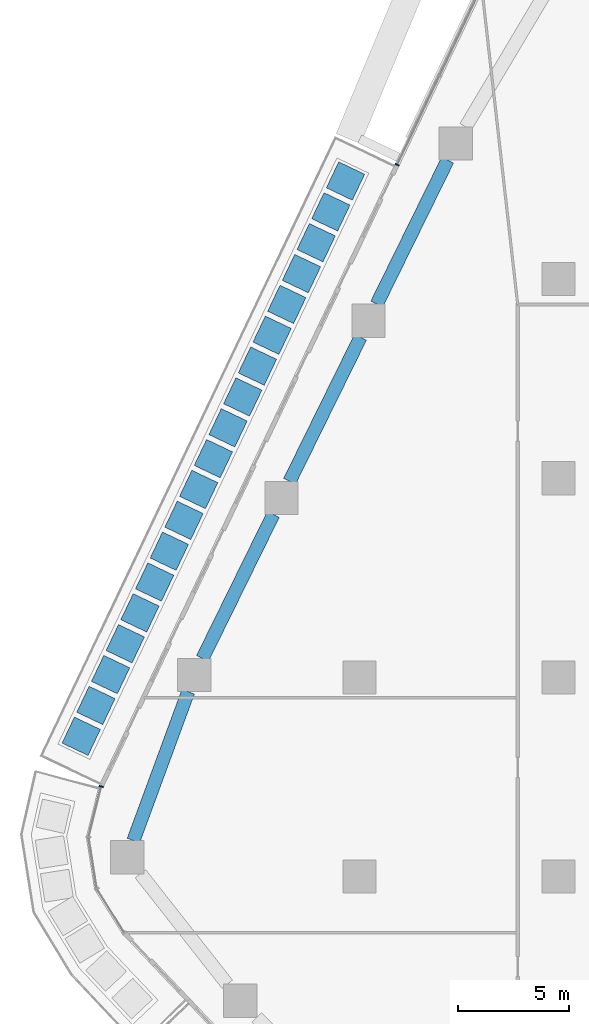
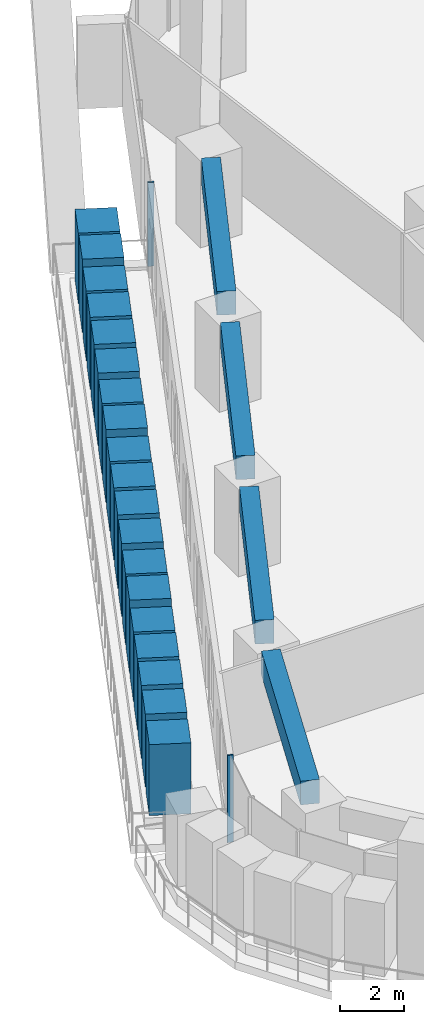
# One storey, part 5 of 24: 21 members, 4 beams, 2 elements without a shape of their own.
"""IFC4 building model written with IfcOpenShell, lengths in metres."""

from ifc_helpers import new_model, si_unit, direction, frame, origin, origin_2d, place, context, subcontext, project, spatial, rectangle, extrude, material, layer, layer_set, material_profile, profile_set, type_object, element, aggregate, save


model = new_model("IFC4")

# Units and contexts
model_context = context("Model", 3, precision=1e-05, world=origin(), true_north=direction((0.0, 1.0)))
body_context = subcontext(model_context, "Body", "Model", "MODEL_VIEW")
ifc_project = project(units=[si_unit("LENGTHUNIT", "METRE"), si_unit("AREAUNIT", "SQUARE_METRE"), si_unit("VOLUMEUNIT", "CUBIC_METRE"), si_unit("PLANEANGLEUNIT", "RADIAN"), si_unit("MASSUNIT", "GRAM", prefix="KILO")], contexts=[model_context])

# Site, building, storey
site_placement = place(None, origin())
site = spatial("IfcSite", under=ifc_project, at=site_placement, CompositionType="ELEMENT")
building_placement = place(site_placement, origin())
building = spatial("IfcBuilding", under=site, at=building_placement, Name="Dongbaek Canopy Tower", CompositionType="ELEMENT")
storey_placement = place(building_placement, frame((0.0, 0.0, 51.39990234375)))
storey = spatial("IfcBuildingStorey", under=building, at=storey_placement, Name="L08", CompositionType="ELEMENT", Elevation=51.39990234375)

# Curtain wall, member
ifc_material_1 = material(Name="Aluminium 6063-T6 pale anodised", Category="aluminium")
ifc_layer = layer(ifc_material_1, 0.199951171875)
ifc_layer_set = layer_set([ifc_layer], Name="CW-1 unitised tower curtain wall")
curtain_wall_type = type_object("IfcCurtainWallType", Name="CW-1 unitised tower curtain wall", PredefinedType="NOTDEFINED", material=ifc_layer_set)
curtain_wall_1_placement = place(storey_placement, origin())
curtain_wall_1 = element("IfcCurtainWall", 1, at=curtain_wall_1_placement, inside=storey, type_object=curtain_wall_type, Name="CW-1 curtain wall F2.1", PredefinedType="NOTDEFINED")
ifc_material_2 = material(Name="Aluminium 6063-T6 pale anodised", Category="aluminium")
ifc_material_profile_1 = material_profile(ifc_material_2, rectangle(XDim=0.199951171875, YDim=0.06005859375, at=origin_2d()), Name="CW-1 mullion 60 x 200")
ifc_profile_set_1 = profile_set([ifc_material_profile_1], Name="Aluminium 6063-T6 pale anodised")
member_type_1 = type_object("IfcMemberType", Name="CW-1 mullion 60 x 200", PredefinedType="MULLION", material=ifc_profile_set_1)
member_1_placement = place(storey_placement, frame((-25.294677734375, 23.16796875, 0.1201171875), z_axis=(0.0, 0.0, 1.0), x_axis=(-0.902928815129, 0.429790128796, 0.0)))
member_1 = element("IfcMember", 2, at=member_1_placement, type_object=member_type_1, Name="CW-1 mullion F2.1.3", PredefinedType="MULLION", context=body_context, shape_type="SweptSolid", body=[
    extrude(rectangle(XDim=0.199951171875, YDim=0.06005859375, at=origin_2d()), origin(), (0.0, 0.0, 1.0), 3.179931640625),
])
aggregate(curtain_wall_1, [member_1])

curtain_wall_2_placement = place(storey_placement, origin())
curtain_wall_2 = element("IfcCurtainWall", 3, at=curtain_wall_2_placement, inside=storey, type_object=curtain_wall_type, Name="CW-1 curtain wall K3.1", PredefinedType="NOTDEFINED")
member_2_placement = place(storey_placement, frame((-38.669677734375, -4.930908203125, 0.0), z_axis=(0.0, 0.0, 1.0), x_axis=(-0.970441779727, 0.241335352072, 0.0)))
member_2 = element("IfcMember", 4, at=member_2_placement, type_object=member_type_1, Name="CW-1 mullion K3.1.1", PredefinedType="MULLION", context=body_context, shape_type="SweptSolid", body=[
    extrude(rectangle(XDim=0.199951171875, YDim=0.06005859375, at=origin_2d()), origin(), (0.0, 0.0, 1.0), 3.300048828125),
])
aggregate(curtain_wall_2, [member_2])

# Beams
ifc_material_3 = material(Name="Concrete C80", Category="concrete")
ifc_material_profile_2 = material_profile(ifc_material_3, rectangle(XDim=0.60009765625, YDim=0.89990234375, at=origin_2d()), Name="RC EDGE BEAM 600x900 C80")
ifc_profile_set_2 = profile_set([ifc_material_profile_2], Name="Concrete C80")
beam_type = type_object("IfcBeamType", Name="RC EDGE BEAM 600x900 C80", PredefinedType="BEAM", material=ifc_profile_set_2)
beam_1_placement = place(storey_placement, frame((-37.213134765625, -7.373046875, 2.85009765625), z_axis=(0.345225397682, 0.938519805223, 0.0), x_axis=(-0.938519805223, 0.345225397682, 0.0)))
element("IfcBeam", 5, at=beam_1_placement, inside=storey, type_object=beam_type, Name="EDGEBEAM:L08:08", PredefinedType="BEAM", context=body_context, shape_type="SweptSolid", body=[
    extrude(rectangle(XDim=0.60009765625, YDim=0.89990234375, at=origin_2d()), origin(), (0.0, 0.0, 1.0), 7.166748046875),
])
beam_2_placement = place(storey_placement, frame((-34.09423828125, 0.85302734375, 2.85009765625), z_axis=(0.441292548313, 0.897363297, 0.0), x_axis=(-0.897363297, 0.441292548313, 0.0)))
element("IfcBeam", 6, at=beam_2_placement, inside=storey, type_object=beam_type, Name="EDGEBEAM:L08:09", PredefinedType="BEAM", context=body_context, shape_type="SweptSolid", body=[
    extrude(rectangle(XDim=0.60009765625, YDim=0.89990234375, at=origin_2d()), origin(), (0.0, 0.0, 1.0), 7.25244140625),
])
for number, where, z_axis, x_axis, name in (
    (7, (-30.156005859375, 8.861083984375, 2.85009765625), (0.441413427837, 0.897303842477, 0.0), (-0.897303842477, 0.441413427837, 0.0), "EDGEBEAM:L08:10"),
    (8, (-26.217041015625, 16.867919921875, 2.85009765625), (0.441318766596, 0.897350403271, 0.0), (-0.897350403271, 0.441318766596, 0.0), "EDGEBEAM:L08:11"),
):
    element("IfcBeam", number, at=place(storey_placement, frame(where, z_axis=z_axis, x_axis=x_axis)), inside=storey, type_object=beam_type, Name=name, PredefinedType="BEAM", context=body_context, shape_type="SweptSolid", body=[
        extrude(rectangle(XDim=0.60009765625, YDim=0.89990234375, at=origin_2d()), origin(), (0.0, 0.0, 1.0), 7.25146484375),
    ])

# Members
ifc_material_4 = material(Name="Concrete C40/50 planter mass with planting", Category="concrete")
ifc_material_profile_3 = material_profile(ifc_material_4, rectangle(XDim=1.300048828125, YDim=1.300048828125, at=origin_2d()), Name="Terrace PLANTER shrub mass 1300 x 1300")
ifc_profile_set_3 = profile_set([ifc_material_profile_3], Name="Concrete C40/50 planter mass with planting")
member_type_2 = type_object("IfcMemberType", Name="Terrace PLANTER shrub mass 1300 x 1300", PredefinedType="USERDEFINED", material=ifc_profile_set_3)
member_3_placement = place(storey_placement, frame((-27.62939453125, 22.427734375, 0.420166015625), z_axis=(0.0, 0.0, 1.0), x_axis=(-0.902928815129, 0.429790128796, 0.0)))
element("IfcMember", 9, at=member_3_placement, inside=storey, type_object=member_type_2, Name="Planter shrubs L08 2.1", ObjectType="PLANTER", PredefinedType="USERDEFINED", context=body_context, shape_type="SweptSolid", body=[
    extrude(rectangle(XDim=1.300048828125, YDim=1.300048828125, at=origin_2d()), origin(), (0.0, 0.0, 1.0), 2.68994140625),
])
member_4_placement = place(storey_placement, frame((-28.29296875, 21.033935546875, 0.420166015625), z_axis=(0.0, 0.0, 1.0), x_axis=(-0.902928815129, 0.429790128796, 0.0)))
element("IfcMember", 10, at=member_4_placement, inside=storey, type_object=member_type_2, Name="Planter shrubs L08 2.2", ObjectType="PLANTER", PredefinedType="USERDEFINED", context=body_context, shape_type="SweptSolid", body=[
    extrude(rectangle(XDim=1.300048828125, YDim=1.300048828125, at=origin_2d()), origin(), (0.0, 0.0, 1.0), 2.780029296875),
])
member_5_placement = place(storey_placement, frame((-28.956298828125, 19.64013671875, 0.420166015625), z_axis=(0.0, 0.0, 1.0), x_axis=(-0.902928815129, 0.429790128796, 0.0)))
element("IfcMember", 11, at=member_5_placement, inside=storey, type_object=member_type_2, Name="Planter shrubs L08 2.3", ObjectType="PLANTER", PredefinedType="USERDEFINED", context=body_context, shape_type="SweptSolid", body=[
    extrude(rectangle(XDim=1.300048828125, YDim=1.300048828125, at=origin_2d()), origin(), (0.0, 0.0, 1.0), 2.64990234375),
])
member_6_placement = place(storey_placement, frame((-29.619873046875, 18.246337890625, 0.420166015625), z_axis=(0.0, 0.0, 1.0), x_axis=(-0.902928815129, 0.429790128796, 0.0)))
element("IfcMember", 12, at=member_6_placement, inside=storey, type_object=member_type_2, Name="Planter shrubs L08 2.4", ObjectType="PLANTER", PredefinedType="USERDEFINED", context=body_context, shape_type="SweptSolid", body=[
    extrude(rectangle(XDim=1.300048828125, YDim=1.300048828125, at=origin_2d()), origin(), (0.0, 0.0, 1.0), 2.72998046875),
])
member_7_placement = place(storey_placement, frame((-30.283203125, 16.8525390625, 0.420166015625), z_axis=(0.0, 0.0, 1.0), x_axis=(-0.902928815129, 0.429790128796, 0.0)))
element("IfcMember", 13, at=member_7_placement, inside=storey, type_object=member_type_2, Name="Planter shrubs L08 2.5", ObjectType="PLANTER", PredefinedType="USERDEFINED", context=body_context, shape_type="SweptSolid", body=[
    extrude(rectangle(XDim=1.300048828125, YDim=1.300048828125, at=origin_2d()), origin(), (0.0, 0.0, 1.0), 2.780029296875),
])
member_8_placement = place(storey_placement, frame((-30.94677734375, 15.458740234375, 0.420166015625), z_axis=(0.0, 0.0, 1.0), x_axis=(-0.902928815129, 0.429790128796, 0.0)))
element("IfcMember", 14, at=member_8_placement, inside=storey, type_object=member_type_2, Name="Planter shrubs L08 2.6", ObjectType="PLANTER", PredefinedType="USERDEFINED", context=body_context, shape_type="SweptSolid", body=[
    extrude(rectangle(XDim=1.300048828125, YDim=1.300048828125, at=origin_2d()), origin(), (0.0, 0.0, 1.0), 2.77001953125),
])
member_9_placement = place(storey_placement, frame((-31.610107421875, 14.06494140625, 0.420166015625), z_axis=(0.0, 0.0, 1.0), x_axis=(-0.902928815129, 0.429790128796, 0.0)))
element("IfcMember", 15, at=member_9_placement, inside=storey, type_object=member_type_2, Name="Planter shrubs L08 2.7", ObjectType="PLANTER", PredefinedType="USERDEFINED", context=body_context, shape_type="SweptSolid", body=[
    extrude(rectangle(XDim=1.300048828125, YDim=1.300048828125, at=origin_2d()), origin(), (0.0, 0.0, 1.0), 2.68994140625),
])
member_10_placement = place(storey_placement, frame((-32.273681640625, 12.6708984375, 0.420166015625), z_axis=(0.0, 0.0, 1.0), x_axis=(-0.902928815129, 0.429790128796, 0.0)))
element("IfcMember", 16, at=member_10_placement, inside=storey, type_object=member_type_2, Name="Planter shrubs L08 2.8", ObjectType="PLANTER", PredefinedType="USERDEFINED", context=body_context, shape_type="SweptSolid", body=[
    extrude(rectangle(XDim=1.300048828125, YDim=1.300048828125, at=origin_2d()), origin(), (0.0, 0.0, 1.0), 2.780029296875),
])
member_11_placement = place(storey_placement, frame((-32.937255859375, 11.277099609375, 0.420166015625), z_axis=(0.0, 0.0, 1.0), x_axis=(-0.902928815129, 0.429790128796, 0.0)))
element("IfcMember", 17, at=member_11_placement, inside=storey, type_object=member_type_2, Name="Planter shrubs L08 2.9", ObjectType="PLANTER", PredefinedType="USERDEFINED", context=body_context, shape_type="SweptSolid", body=[
    extrude(rectangle(XDim=1.300048828125, YDim=1.300048828125, at=origin_2d()), origin(), (0.0, 0.0, 1.0), 2.64990234375),
])
member_12_placement = place(storey_placement, frame((-33.6005859375, 9.88330078125, 0.420166015625), z_axis=(0.0, 0.0, 1.0), x_axis=(-0.902928815129, 0.429790128796, 0.0)))
element("IfcMember", 18, at=member_12_placement, inside=storey, type_object=member_type_2, Name="Planter shrubs L08 2.10", ObjectType="PLANTER", PredefinedType="USERDEFINED", context=body_context, shape_type="SweptSolid", body=[
    extrude(rectangle(XDim=1.300048828125, YDim=1.300048828125, at=origin_2d()), origin(), (0.0, 0.0, 1.0), 2.72998046875),
])
member_13_placement = place(storey_placement, frame((-34.26416015625, 8.489501953125, 0.420166015625), z_axis=(0.0, 0.0, 1.0), x_axis=(-0.902928815129, 0.429790128796, 0.0)))
element("IfcMember", 19, at=member_13_placement, inside=storey, type_object=member_type_2, Name="Planter shrubs L08 2.11", ObjectType="PLANTER", PredefinedType="USERDEFINED", context=body_context, shape_type="SweptSolid", body=[
    extrude(rectangle(XDim=1.300048828125, YDim=1.300048828125, at=origin_2d()), origin(), (0.0, 0.0, 1.0), 2.780029296875),
])
member_14_placement = place(storey_placement, frame((-34.927490234375, 7.095703125, 0.420166015625), z_axis=(0.0, 0.0, 1.0), x_axis=(-0.902928815129, 0.429790128796, 0.0)))
element("IfcMember", 20, at=member_14_placement, inside=storey, type_object=member_type_2, Name="Planter shrubs L08 2.12", ObjectType="PLANTER", PredefinedType="USERDEFINED", context=body_context, shape_type="SweptSolid", body=[
    extrude(rectangle(XDim=1.300048828125, YDim=1.300048828125, at=origin_2d()), origin(), (0.0, 0.0, 1.0), 2.77001953125),
])
member_15_placement = place(storey_placement, frame((-35.591064453125, 5.701904296875, 0.420166015625), z_axis=(0.0, 0.0, 1.0), x_axis=(-0.902928815129, 0.429790128796, 0.0)))
element("IfcMember", 21, at=member_15_placement, inside=storey, type_object=member_type_2, Name="Planter shrubs L08 2.13", ObjectType="PLANTER", PredefinedType="USERDEFINED", context=body_context, shape_type="SweptSolid", body=[
    extrude(rectangle(XDim=1.300048828125, YDim=1.300048828125, at=origin_2d()), origin(), (0.0, 0.0, 1.0), 2.68994140625),
])
member_16_placement = place(storey_placement, frame((-36.25439453125, 4.307861328125, 0.420166015625), z_axis=(0.0, 0.0, 1.0), x_axis=(-0.902928815129, 0.429790128796, 0.0)))
element("IfcMember", 22, at=member_16_placement, inside=storey, type_object=member_type_2, Name="Planter shrubs L08 2.14", ObjectType="PLANTER", PredefinedType="USERDEFINED", context=body_context, shape_type="SweptSolid", body=[
    extrude(rectangle(XDim=1.300048828125, YDim=1.300048828125, at=origin_2d()), origin(), (0.0, 0.0, 1.0), 2.780029296875),
])
member_17_placement = place(storey_placement, frame((-36.91796875, 2.9140625, 0.420166015625), z_axis=(0.0, 0.0, 1.0), x_axis=(-0.902928815129, 0.429790128796, 0.0)))
element("IfcMember", 23, at=member_17_placement, inside=storey, type_object=member_type_2, Name="Planter shrubs L08 2.15", ObjectType="PLANTER", PredefinedType="USERDEFINED", context=body_context, shape_type="SweptSolid", body=[
    extrude(rectangle(XDim=1.300048828125, YDim=1.300048828125, at=origin_2d()), origin(), (0.0, 0.0, 1.0), 2.64990234375),
])
member_18_placement = place(storey_placement, frame((-37.581298828125, 1.520263671875, 0.420166015625), z_axis=(0.0, 0.0, 1.0), x_axis=(-0.902928815129, 0.429790128796, 0.0)))
element("IfcMember", 24, at=member_18_placement, inside=storey, type_object=member_type_2, Name="Planter shrubs L08 2.16", ObjectType="PLANTER", PredefinedType="USERDEFINED", context=body_context, shape_type="SweptSolid", body=[
    extrude(rectangle(XDim=1.300048828125, YDim=1.300048828125, at=origin_2d()), origin(), (0.0, 0.0, 1.0), 2.72998046875),
])
member_19_placement = place(storey_placement, frame((-38.244873046875, 0.12646484375, 0.420166015625), z_axis=(0.0, 0.0, 1.0), x_axis=(-0.902928815129, 0.429790128796, 0.0)))
element("IfcMember", 25, at=member_19_placement, inside=storey, type_object=member_type_2, Name="Planter shrubs L08 2.17", ObjectType="PLANTER", PredefinedType="USERDEFINED", context=body_context, shape_type="SweptSolid", body=[
    extrude(rectangle(XDim=1.300048828125, YDim=1.300048828125, at=origin_2d()), origin(), (0.0, 0.0, 1.0), 2.780029296875),
])
member_20_placement = place(storey_placement, frame((-38.908203125, -1.267333984375, 0.420166015625), z_axis=(0.0, 0.0, 1.0), x_axis=(-0.902928815129, 0.429790128796, 0.0)))
element("IfcMember", 26, at=member_20_placement, inside=storey, type_object=member_type_2, Name="Planter shrubs L08 2.18", ObjectType="PLANTER", PredefinedType="USERDEFINED", context=body_context, shape_type="SweptSolid", body=[
    extrude(rectangle(XDim=1.300048828125, YDim=1.300048828125, at=origin_2d()), origin(), (0.0, 0.0, 1.0), 2.77001953125),
])
member_21_placement = place(storey_placement, frame((-39.57177734375, -2.6611328125, 0.420166015625), z_axis=(0.0, 0.0, 1.0), x_axis=(-0.902928815129, 0.429790128796, 0.0)))
element("IfcMember", 27, at=member_21_placement, inside=storey, type_object=member_type_2, Name="Planter shrubs L08 2.19", ObjectType="PLANTER", PredefinedType="USERDEFINED", context=body_context, shape_type="SweptSolid", body=[
    extrude(rectangle(XDim=1.300048828125, YDim=1.300048828125, at=origin_2d()), origin(), (0.0, 0.0, 1.0), 2.68994140625),
])

save(model, "model.ifc")
